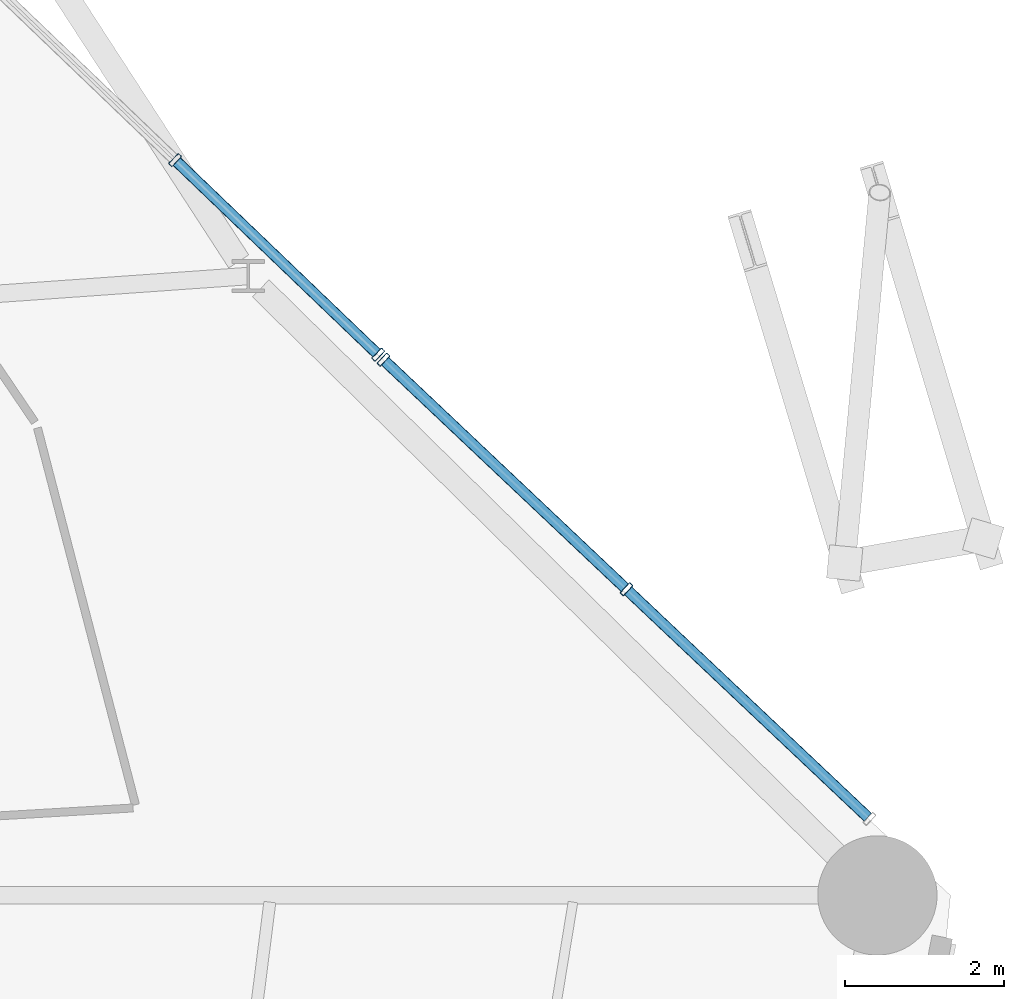
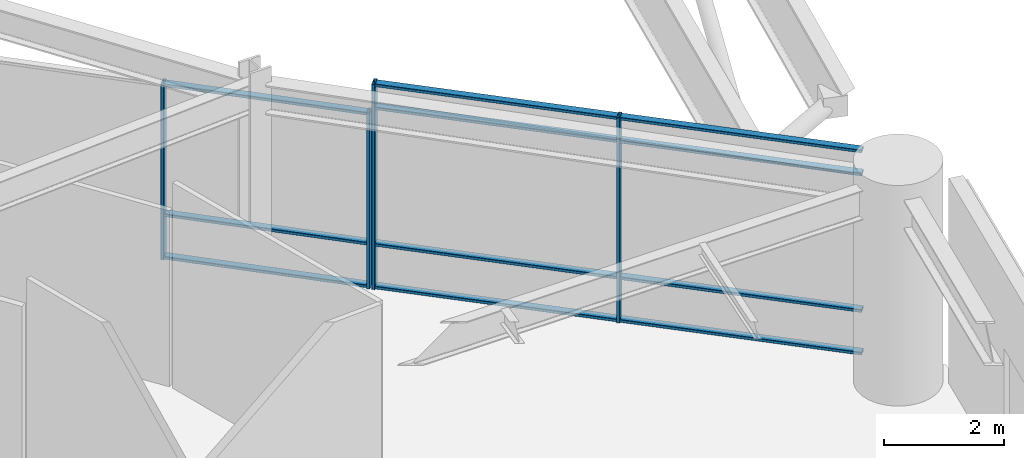
# One storey, part 26 of 55: 15 members, 2 elements without a shape of their own.
"""IFC4 building model written with IfcOpenShell, lengths in metres."""

from ifc_helpers import new_model, si_unit, direction, frame, origin, origin_2d, place, context, subcontext, project, spatial, hollow_rectangle, extrude, material, layer, layer_set, material_profile, profile_set, type_object, element, aggregate, save


model = new_model("IFC4")

# Units and contexts
model_context = context("Model", 3, precision=1e-05, world=origin(), true_north=direction((0.0, 1.0)))
body_context = subcontext(model_context, "Body", "Model", "MODEL_VIEW")
ifc_project = project(units=[si_unit("LENGTHUNIT", "METRE"), si_unit("AREAUNIT", "SQUARE_METRE"), si_unit("VOLUMEUNIT", "CUBIC_METRE"), si_unit("PLANEANGLEUNIT", "RADIAN"), si_unit("MASSUNIT", "GRAM", prefix="KILO")], contexts=[model_context])

# Site, building, storey
site_placement = place(None, origin())
site = spatial("IfcSite", under=ifc_project, at=site_placement, CompositionType="ELEMENT")
building_placement = place(site_placement, origin())
building = spatial("IfcBuilding", under=site, at=building_placement, Name="Kelanora Arch Commons", CompositionType="ELEMENT")
storey_placement = place(building_placement, frame((0.0, 0.0, 4.5)))
storey = spatial("IfcBuildingStorey", under=building, at=storey_placement, Name="L01", CompositionType="ELEMENT", Elevation=4.5)

# Curtain wall, members
ifc_material_1 = material(Name="Terracotta ceramic-fritted low-E glass and aluminium", Category="masonry")
ifc_layer = layer(ifc_material_1, 0.2099609375)
ifc_layer_set = layer_set([ifc_layer], Name="Terracotta ceramic-fritted low-E glass and aluminium")
curtain_wall_type = type_object("IfcCurtainWallType", Name="CW-SYS-04", PredefinedType="NOTDEFINED", material=ifc_layer_set)
curtain_wall_1_placement = place(storey_placement, origin())
curtain_wall_1 = element("IfcCurtainWall", 1, at=curtain_wall_1_placement, inside=storey, type_object=curtain_wall_type, Name="Unitised Curtain Wall L01-B00", PredefinedType="NOTDEFINED")
ifc_material_2 = material(Name="Powder-coated aluminium terracotta", Category="masonry")
ifc_material_profile_1 = material_profile(ifc_material_2, hollow_rectangle(XDim=0.179931640625, YDim=0.06005859375, WallThickness=0.0048828125, InnerFilletRadius=0.0048828125, OuterFilletRadius=0.010009765625, at=origin_2d()), Name="CWM180x60")
ifc_profile_set_1 = profile_set([ifc_material_profile_1], Name="Powder-coated aluminium terracotta")
member_type_1 = type_object("IfcMemberType", Name="CWM-HVY", PredefinedType="MULLION", material=ifc_profile_set_1)
member_1_placement = place(storey_placement, frame((97.923583984375, 61.850830078125, 0.0), z_axis=(0.0, 0.0, 1.0), x_axis=(-0.686720224308, -0.72692182078, 0.0)))
member_1 = element("IfcMember", 2, at=member_1_placement, type_object=member_type_1, Name="CW-04 mullion 2", PredefinedType="MULLION", context=body_context, shape_type="SweptSolid", body=[
    extrude(hollow_rectangle(XDim=0.179931640625, YDim=0.06005859375, WallThickness=0.0048828125, InnerFilletRadius=0.0048828125, OuterFilletRadius=0.010009765625, at=origin_2d()), origin(), (0.0, 0.0, 1.0), 4.18505859375),
])
member_2_placement = place(storey_placement, frame((94.8662109375, 64.739501953125, 0.0), z_axis=(0.0, 0.0, 1.0), x_axis=(-0.686720224308, -0.72692182078, 0.0)))
member_2 = element("IfcMember", 3, at=member_2_placement, type_object=member_type_1, Name="CW-04 mullion 3", PredefinedType="MULLION", context=body_context, shape_type="SweptSolid", body=[
    extrude(hollow_rectangle(XDim=0.179931640625, YDim=0.06005859375, WallThickness=0.0048828125, InnerFilletRadius=0.0048828125, OuterFilletRadius=0.010009765625, at=origin_2d()), origin(), (0.0, 0.0, 1.0), 4.18505859375),
])

curtain_wall_2_placement = place(storey_placement, origin())
curtain_wall_2 = element("IfcCurtainWall", 4, at=curtain_wall_2_placement, inside=storey, type_object=curtain_wall_type, Name="Unitised Curtain Wall L01-B01", PredefinedType="NOTDEFINED")
member_3_placement = place(storey_placement, frame((94.801025390625, 64.801513671875, 0.0), z_axis=(0.0, 0.0, 1.0), x_axis=(-0.691952518914, -0.721943011302, 0.0)))
member_3 = element("IfcMember", 5, at=member_3_placement, type_object=member_type_1, Name="CW-04 mullion 1", PredefinedType="MULLION", context=body_context, shape_type="SweptSolid", body=[
    extrude(hollow_rectangle(XDim=0.179931640625, YDim=0.06005859375, WallThickness=0.0048828125, InnerFilletRadius=0.0048828125, OuterFilletRadius=0.010009765625, at=origin_2d()), origin(), (0.0, 0.0, 1.0), 3.580078125),
])
member_4_placement = place(storey_placement, frame((92.24560546875, 67.25048828125, 0.0), z_axis=(0.0, 0.0, 1.0), x_axis=(-0.691952518914, -0.721943011302, 0.0)))
member_4 = element("IfcMember", 6, at=member_4_placement, type_object=member_type_1, Name="CW-04 mullion 2", PredefinedType="MULLION", context=body_context, shape_type="SweptSolid", body=[
    extrude(hollow_rectangle(XDim=0.179931640625, YDim=0.06005859375, WallThickness=0.0048828125, InnerFilletRadius=0.0048828125, OuterFilletRadius=0.010009765625, at=origin_2d()), origin(), (0.0, 0.0, 1.0), 3.580078125),
])

# Member
ifc_material_profile_2 = material_profile(ifc_material_2, hollow_rectangle(XDim=0.139892578125, YDim=0.06005859375, WallThickness=0.0048828125, InnerFilletRadius=0.0048828125, OuterFilletRadius=0.010009765625, at=origin_2d()), Name="CWT140x60")
ifc_profile_set_2 = profile_set([ifc_material_profile_2], Name="Powder-coated aluminium terracotta")
member_type_2 = type_object("IfcMemberType", Name="CWT-HVY", PredefinedType="USERDEFINED", material=ifc_profile_set_2)
member_5_placement = place(storey_placement, frame((100.95947265625, 58.983154296875, 0.030029296875), z_axis=(-0.726929863496, 0.68671171066, 0.0), x_axis=(-0.68671171066, -0.726929863496, 0.0)))
member_5 = element("IfcMember", 7, at=member_5_placement, type_object=member_type_2, Name="CW-04 transom 1.1", ObjectType="TRANSOM", PredefinedType="USERDEFINED", context=body_context, shape_type="SweptSolid", body=[
    extrude(hollow_rectangle(XDim=0.139892578125, YDim=0.06005859375, WallThickness=0.0048828125, InnerFilletRadius=0.0048828125, OuterFilletRadius=0.010009765625, at=origin_2d()), origin(), (0.0, 0.0, 1.0), 4.14599609375),
])

member_6_placement = place(storey_placement, frame((100.95947265625, 58.983154296875, 0.89990234375), z_axis=(-0.726929863496, 0.68671171066, 0.0), x_axis=(-0.68671171066, -0.726929863496, 0.0)))
member_6 = element("IfcMember", 8, at=member_6_placement, type_object=member_type_2, Name="CW-04 transom 1.2", ObjectType="TRANSOM", PredefinedType="USERDEFINED", context=body_context, shape_type="SweptSolid", body=[
    extrude(hollow_rectangle(XDim=0.139892578125, YDim=0.06005859375, WallThickness=0.0048828125, InnerFilletRadius=0.0048828125, OuterFilletRadius=0.010009765625, at=origin_2d()), origin(), (0.0, 0.0, 1.0), 4.14599609375),
])

member_7_placement = place(storey_placement, frame((100.95947265625, 58.983154296875, 3.68505859375), z_axis=(-0.726929863496, 0.68671171066, 0.0), x_axis=(-0.68671171066, -0.726929863496, 0.0)))
member_7 = element("IfcMember", 9, at=member_7_placement, type_object=member_type_2, Name="CW-04 transom 1.3", ObjectType="TRANSOM", PredefinedType="USERDEFINED", context=body_context, shape_type="SweptSolid", body=[
    extrude(hollow_rectangle(XDim=0.139892578125, YDim=0.06005859375, WallThickness=0.0048828125, InnerFilletRadius=0.0048828125, OuterFilletRadius=0.010009765625, at=origin_2d()), origin(), (0.0, 0.0, 1.0), 4.14599609375),
])

member_8_placement = place(storey_placement, frame((100.95947265625, 58.983154296875, 4.155029296875), z_axis=(-0.726929863496, 0.68671171066, 0.0), x_axis=(-0.68671171066, -0.726929863496, 0.0)))
member_8 = element("IfcMember", 10, at=member_8_placement, type_object=member_type_2, Name="CW-04 transom 1.4", ObjectType="TRANSOM", PredefinedType="USERDEFINED", context=body_context, shape_type="SweptSolid", body=[
    extrude(hollow_rectangle(XDim=0.139892578125, YDim=0.06005859375, WallThickness=0.0048828125, InnerFilletRadius=0.0048828125, OuterFilletRadius=0.010009765625, at=origin_2d()), origin(), (0.0, 0.0, 1.0), 4.14599609375),
])

member_9_placement = place(storey_placement, frame((97.90185546875, 61.87158203125, 0.030029296875), z_axis=(-0.726929863496, 0.68671171066, 0.0), x_axis=(-0.68671171066, -0.726929863496, 0.0)))
member_9 = element("IfcMember", 11, at=member_9_placement, type_object=member_type_2, Name="CW-04 transom 2.1", ObjectType="TRANSOM", PredefinedType="USERDEFINED", context=body_context, shape_type="SweptSolid", body=[
    extrude(hollow_rectangle(XDim=0.139892578125, YDim=0.06005859375, WallThickness=0.0048828125, InnerFilletRadius=0.0048828125, OuterFilletRadius=0.010009765625, at=origin_2d()), origin(), (0.0, 0.0, 1.0), 4.14599609375),
])

member_10_placement = place(storey_placement, frame((97.90185546875, 61.87158203125, 0.89990234375), z_axis=(-0.726929863496, 0.68671171066, 0.0), x_axis=(-0.68671171066, -0.726929863496, 0.0)))
member_10 = element("IfcMember", 12, at=member_10_placement, type_object=member_type_2, Name="CW-04 transom 2.2", ObjectType="TRANSOM", PredefinedType="USERDEFINED", context=body_context, shape_type="SweptSolid", body=[
    extrude(hollow_rectangle(XDim=0.139892578125, YDim=0.06005859375, WallThickness=0.0048828125, InnerFilletRadius=0.0048828125, OuterFilletRadius=0.010009765625, at=origin_2d()), origin(), (0.0, 0.0, 1.0), 4.14599609375),
])

member_11_placement = place(storey_placement, frame((97.90185546875, 61.87158203125, 3.68505859375), z_axis=(-0.726929863496, 0.68671171066, 0.0), x_axis=(-0.68671171066, -0.726929863496, 0.0)))
member_11 = element("IfcMember", 13, at=member_11_placement, type_object=member_type_2, Name="CW-04 transom 2.3", ObjectType="TRANSOM", PredefinedType="USERDEFINED", context=body_context, shape_type="SweptSolid", body=[
    extrude(hollow_rectangle(XDim=0.139892578125, YDim=0.06005859375, WallThickness=0.0048828125, InnerFilletRadius=0.0048828125, OuterFilletRadius=0.010009765625, at=origin_2d()), origin(), (0.0, 0.0, 1.0), 4.14599609375),
])

member_12_placement = place(storey_placement, frame((97.90185546875, 61.87158203125, 4.155029296875), z_axis=(-0.726929863496, 0.68671171066, 0.0), x_axis=(-0.68671171066, -0.726929863496, 0.0)))
member_12 = element("IfcMember", 14, at=member_12_placement, type_object=member_type_2, Name="CW-04 transom 2.4", ObjectType="TRANSOM", PredefinedType="USERDEFINED", context=body_context, shape_type="SweptSolid", body=[
    extrude(hollow_rectangle(XDim=0.139892578125, YDim=0.06005859375, WallThickness=0.0048828125, InnerFilletRadius=0.0048828125, OuterFilletRadius=0.010009765625, at=origin_2d()), origin(), (0.0, 0.0, 1.0), 4.14599609375),
])

aggregate(curtain_wall_1, [member_1, member_2, member_5, member_6, member_7, member_8, member_9, member_10, member_11, member_12])

member_13_placement = place(storey_placement, frame((94.779296875, 64.822265625, 0.030029296875), z_axis=(-0.721963375808, 0.691931271148, 0.0), x_axis=(-0.691931271148, -0.721963375808, 0.0)))
member_13 = element("IfcMember", 15, at=member_13_placement, type_object=member_type_2, Name="CW-04 transom 1.1", ObjectType="TRANSOM", PredefinedType="USERDEFINED", context=body_context, shape_type="SweptSolid", body=[
    extrude(hollow_rectangle(XDim=0.139892578125, YDim=0.06005859375, WallThickness=0.0048828125, InnerFilletRadius=0.0048828125, OuterFilletRadius=0.010009765625, at=origin_2d()), origin(), (0.0, 0.0, 1.0), 3.479248046875),
])

member_14_placement = place(storey_placement, frame((94.779296875, 64.822265625, 0.89990234375), z_axis=(-0.721963375808, 0.691931271148, 0.0), x_axis=(-0.691931271148, -0.721963375808, 0.0)))
member_14 = element("IfcMember", 16, at=member_14_placement, type_object=member_type_2, Name="CW-04 transom 1.2", ObjectType="TRANSOM", PredefinedType="USERDEFINED", context=body_context, shape_type="SweptSolid", body=[
    extrude(hollow_rectangle(XDim=0.139892578125, YDim=0.06005859375, WallThickness=0.0048828125, InnerFilletRadius=0.0048828125, OuterFilletRadius=0.010009765625, at=origin_2d()), origin(), (0.0, 0.0, 1.0), 3.479248046875),
])

member_15_placement = place(storey_placement, frame((94.779296875, 64.822265625, 3.550048828125), z_axis=(-0.721963375808, 0.691931271148, 0.0), x_axis=(-0.691931271148, -0.721963375808, 0.0)))
member_15 = element("IfcMember", 17, at=member_15_placement, type_object=member_type_2, Name="CW-04 transom 1.3", ObjectType="TRANSOM", PredefinedType="USERDEFINED", context=body_context, shape_type="SweptSolid", body=[
    extrude(hollow_rectangle(XDim=0.139892578125, YDim=0.06005859375, WallThickness=0.0048828125, InnerFilletRadius=0.0048828125, OuterFilletRadius=0.010009765625, at=origin_2d()), origin(), (0.0, 0.0, 1.0), 3.479248046875),
])

aggregate(curtain_wall_2, [member_3, member_4, member_13, member_14, member_15])

save(model, "model.ifc")
